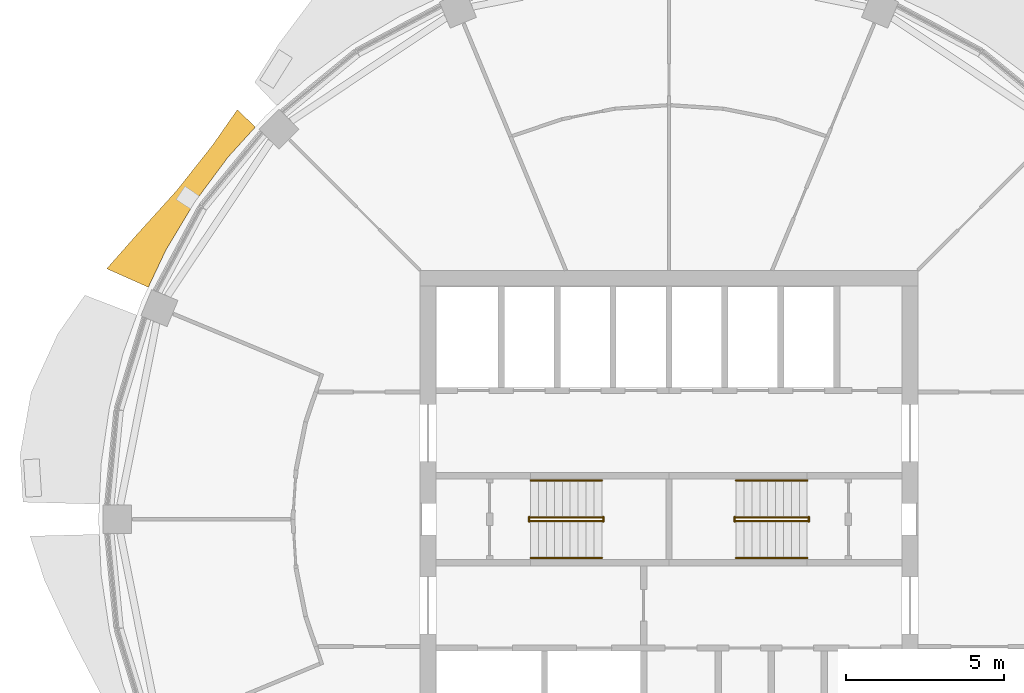
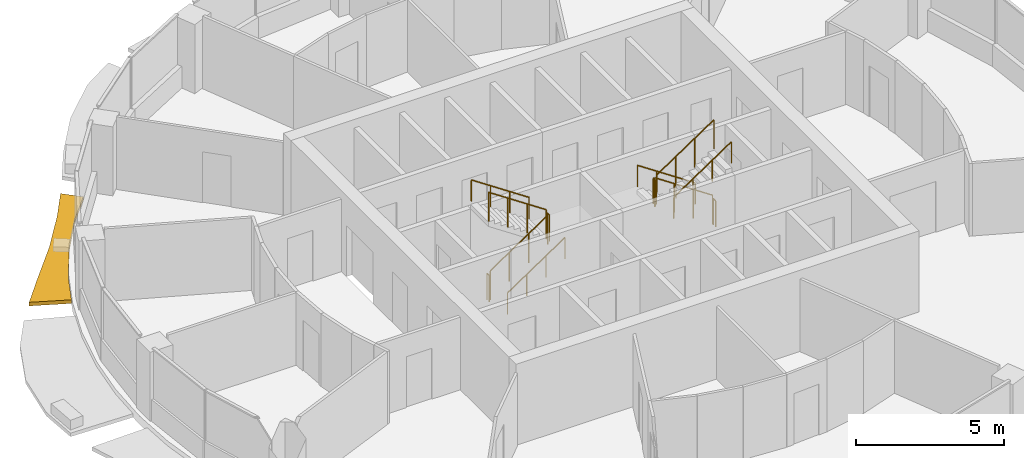
# One storey, part 13 of 15: 12 railings, 1 shading device.
"""IFC4 building model written with IfcOpenShell, lengths in metres."""

from ifc_helpers import new_model, si_unit, direction, frame, origin, origin_2d, place, context, subcontext, project, spatial, polyline, circle, outline, extrude, material, type_object, element, save


model = new_model("IFC4")

# Units and contexts
model_context = context("Model", 3, precision=1e-05, world=origin(), true_north=direction((0.0, 1.0)))
body_context = subcontext(model_context, "Body", "Model", "MODEL_VIEW")
ifc_project = project(units=[si_unit("LENGTHUNIT", "METRE"), si_unit("AREAUNIT", "SQUARE_METRE"), si_unit("VOLUMEUNIT", "CUBIC_METRE"), si_unit("PLANEANGLEUNIT", "RADIAN"), si_unit("MASSUNIT", "GRAM", prefix="KILO")], contexts=[model_context])

# Site, building, storey
site_placement = place(None, origin())
site = spatial("IfcSite", under=ifc_project, at=site_placement, CompositionType="ELEMENT")
building_placement = place(site_placement, origin())
building = spatial("IfcBuilding", under=site, at=building_placement, Name="Polderwave Tower", CompositionType="ELEMENT")
storey_placement = place(building_placement, frame((0.0, 0.0, 191.0)))
storey = spatial("IfcBuildingStorey", under=building, at=storey_placement, Name="L51", CompositionType="ELEMENT", Elevation=191.0)

# Railings
ifc_material_1 = material(Name="Stainless steel", Category="steel")
railing_type_1 = type_object("IfcRailingType", Name="Stair guard 1100", PredefinedType="GUARDRAIL", material=ifc_material_1)
railing_1_placement = place(storey_placement, frame((-4.3740234375, -0.051025390625, 0.04736328125)))
element("IfcRailing", 1, at=railing_1_placement, inside=storey, type_object=railing_type_1, Name="L51 ST-A stair guard 1", PredefinedType="GUARDRAIL", context=body_context, shape_type="SweptSolid", body=[
    extrude(circle(Radius=0.02392578125, at=origin_2d()), frame((0.0, 0.0, 1.1962890625), z_axis=(0.830758306289, 0.0, 0.556633305266), x_axis=(0.0, 1.0, 0.0)), (0.0, 0.0, 1.0), 2.708251953125),
    extrude(circle(Radius=0.02392578125, at=origin_2d()), origin(), (0.0, 0.0, 1.0), 1.172119140625),
    extrude(circle(Radius=0.02392578125, at=origin_2d()), frame((0.75, 0.0, 0.50244140625)), (0.0, 0.0, 1.0), 1.172119140625),
    extrude(circle(Radius=0.02392578125, at=origin_2d()), frame((1.5, 0.0, 1.005126953125)), (0.0, 0.0, 1.0), 1.172119140625),
    extrude(circle(Radius=0.02392578125, at=origin_2d()), frame((2.25, 0.0, 1.507568359375)), (0.0, 0.0, 1.0), 1.172119140625),
])
railing_2_placement = place(storey_placement, frame((-2.073974609375, -0.074951171875, 1.675048828125)))
element("IfcRailing", 2, at=railing_2_placement, inside=storey, type_object=railing_type_1, Name="L51 ST-A stair guard 2", PredefinedType="GUARDRAIL", context=body_context, shape_type="SweptSolid", body=[
    extrude(circle(Radius=0.02392578125, at=origin_2d()), frame((0.0, 0.0, 1.076171875), z_axis=(0.0, 1.0, 0.0), x_axis=(-1.0, 0.0, 0.0)), (0.0, 0.0, 1.0), 0.14990234375),
    extrude(circle(Radius=0.02099609375, at=origin_2d()), origin(), (0.0, 0.0, 1.0), 1.052001953125),
    extrude(circle(Radius=0.02099609375, at=origin_2d()), frame((0.0, 0.14990234375, 0.0)), (0.0, 0.0, 1.0), 1.052001953125),
])
railing_3_placement = place(storey_placement, frame((-2.1240234375, 0.051025390625, 1.722412109375)))
element("IfcRailing", 3, at=railing_3_placement, inside=storey, type_object=railing_type_1, Name="L51 ST-A stair guard 3", PredefinedType="GUARDRAIL", context=body_context, shape_type="SweptSolid", body=[
    extrude(circle(Radius=0.02392578125, at=origin_2d()), frame((0.0, 0.0, 1.1962890625), z_axis=(-0.830758306289, 0.0, 0.556633305266), x_axis=(0.0, -1.0, 0.0)), (0.0, 0.0, 1.0), 2.708251953125),
    extrude(circle(Radius=0.02392578125, at=origin_2d()), origin(), (0.0, 0.0, 1.0), 1.172119140625),
    extrude(circle(Radius=0.02392578125, at=origin_2d()), frame((-0.75, 0.0, 0.50244140625)), (0.0, 0.0, 1.0), 1.172119140625),
    extrude(circle(Radius=0.02392578125, at=origin_2d()), frame((-1.5, 0.0, 1.005126953125)), (0.0, 0.0, 1.0), 1.172119140625),
    extrude(circle(Radius=0.02392578125, at=origin_2d()), frame((-2.25, 0.0, 1.507568359375)), (0.0, 0.0, 1.0), 1.172119140625),
])
railing_4_placement = place(storey_placement, frame((-4.424072265625, -0.074951171875, 0.0)))
element("IfcRailing", 4, at=railing_4_placement, inside=storey, type_object=railing_type_1, Name="L51 ST-A stair guard 4", PredefinedType="GUARDRAIL", context=body_context, shape_type="SweptSolid", body=[
    extrude(circle(Radius=0.02392578125, at=origin_2d()), frame((0.0, 0.0, 1.076171875), z_axis=(0.0, 1.0, 0.0), x_axis=(-1.0, 0.0, 0.0)), (0.0, 0.0, 1.0), 0.14990234375),
    extrude(circle(Radius=0.02099609375, at=origin_2d()), origin(), (0.0, 0.0, 1.0), 1.052001953125),
    extrude(circle(Radius=0.02099609375, at=origin_2d()), frame((0.0, 0.14990234375, 0.0)), (0.0, 0.0, 1.0), 1.052001953125),
])
railing_5_placement = place(storey_placement, frame((4.3740234375, 0.051025390625, 0.04736328125)))
element("IfcRailing", 5, at=railing_5_placement, inside=storey, type_object=railing_type_1, Name="L51 ST-B stair guard 1", PredefinedType="GUARDRAIL", context=body_context, shape_type="SweptSolid", body=[
    extrude(circle(Radius=0.02392578125, at=origin_2d()), frame((0.0, 0.0, 1.1962890625), z_axis=(-0.830758306289, 0.0, 0.556633305266), x_axis=(0.0, -1.0, 0.0)), (0.0, 0.0, 1.0), 2.708251953125),
    extrude(circle(Radius=0.02392578125, at=origin_2d()), origin(), (0.0, 0.0, 1.0), 1.172119140625),
    extrude(circle(Radius=0.02392578125, at=origin_2d()), frame((-0.75, 0.0, 0.50244140625)), (0.0, 0.0, 1.0), 1.172119140625),
    extrude(circle(Radius=0.02392578125, at=origin_2d()), frame((-1.5, 0.0, 1.005126953125)), (0.0, 0.0, 1.0), 1.172119140625),
    extrude(circle(Radius=0.02392578125, at=origin_2d()), frame((-2.25, 0.0, 1.507568359375)), (0.0, 0.0, 1.0), 1.172119140625),
])
railing_6_placement = place(storey_placement, frame((2.073974609375, 0.074951171875, 1.675048828125)))
element("IfcRailing", 6, at=railing_6_placement, inside=storey, type_object=railing_type_1, Name="L51 ST-B stair guard 2", PredefinedType="GUARDRAIL", context=body_context, shape_type="SweptSolid", body=[
    extrude(circle(Radius=0.02392578125, at=origin_2d()), frame((0.0, 0.0, 1.076171875), z_axis=(0.0, -1.0, 0.0), x_axis=(1.0, 0.0, 0.0)), (0.0, 0.0, 1.0), 0.14990234375),
    extrude(circle(Radius=0.02099609375, at=origin_2d()), origin(), (0.0, 0.0, 1.0), 1.052001953125),
    extrude(circle(Radius=0.02099609375, at=origin_2d()), frame((0.0, -0.14990234375, 0.0)), (0.0, 0.0, 1.0), 1.052001953125),
])
railing_7_placement = place(storey_placement, frame((2.1240234375, -0.051025390625, 1.722412109375)))
element("IfcRailing", 7, at=railing_7_placement, inside=storey, type_object=railing_type_1, Name="L51 ST-B stair guard 3", PredefinedType="GUARDRAIL", context=body_context, shape_type="SweptSolid", body=[
    extrude(circle(Radius=0.02392578125, at=origin_2d()), frame((0.0, 0.0, 1.1962890625), z_axis=(0.830758306289, 0.0, 0.556633305266), x_axis=(0.0, 1.0, 0.0)), (0.0, 0.0, 1.0), 2.708251953125),
    extrude(circle(Radius=0.02392578125, at=origin_2d()), origin(), (0.0, 0.0, 1.0), 1.172119140625),
    extrude(circle(Radius=0.02392578125, at=origin_2d()), frame((0.75, 0.0, 0.50244140625)), (0.0, 0.0, 1.0), 1.172119140625),
    extrude(circle(Radius=0.02392578125, at=origin_2d()), frame((1.5, 0.0, 1.005126953125)), (0.0, 0.0, 1.0), 1.172119140625),
    extrude(circle(Radius=0.02392578125, at=origin_2d()), frame((2.25, 0.0, 1.507568359375)), (0.0, 0.0, 1.0), 1.172119140625),
])
railing_8_placement = place(storey_placement, frame((4.424072265625, 0.074951171875, 0.0)))
element("IfcRailing", 8, at=railing_8_placement, inside=storey, type_object=railing_type_1, Name="L51 ST-B stair guard 4", PredefinedType="GUARDRAIL", context=body_context, shape_type="SweptSolid", body=[
    extrude(circle(Radius=0.02392578125, at=origin_2d()), frame((0.0, 0.0, 1.076171875), z_axis=(0.0, -1.0, 0.0), x_axis=(1.0, 0.0, 0.0)), (0.0, 0.0, 1.0), 0.14990234375),
    extrude(circle(Radius=0.02099609375, at=origin_2d()), origin(), (0.0, 0.0, 1.0), 1.052001953125),
    extrude(circle(Radius=0.02099609375, at=origin_2d()), frame((0.0, -0.14990234375, 0.0)), (0.0, 0.0, 1.0), 1.052001953125),
])
railing_type_2 = type_object("IfcRailingType", Name="Stair handrail 900", PredefinedType="HANDRAIL", material=ifc_material_1)
railing_9_placement = place(storey_placement, frame((-4.3740234375, -1.22509765625, 0.16748046875)))
element("IfcRailing", 9, at=railing_9_placement, inside=storey, type_object=railing_type_2, Name="L51 ST-A stair handrail 1", PredefinedType="HANDRAIL", context=body_context, shape_type="SweptSolid", body=[
    extrude(circle(Radius=0.02392578125, at=origin_2d()), frame((0.0, 0.0, 0.8759765625), z_axis=(0.830758306289, 0.0, 0.556633305266), x_axis=(0.0, 1.0, 0.0)), (0.0, 0.0, 1.0), 2.708251953125),
    extrude(circle(Radius=0.02099609375, at=origin_2d()), origin(), (0.0, 0.0, 1.0), 0.851806640625),
    extrude(circle(Radius=0.02099609375, at=origin_2d()), frame((0.75, 0.0, 0.50244140625)), (0.0, 0.0, 1.0), 0.851806640625),
    extrude(circle(Radius=0.02099609375, at=origin_2d()), frame((1.5, 0.0, 1.005126953125)), (0.0, 0.0, 1.0), 0.851806640625),
    extrude(circle(Radius=0.02099609375, at=origin_2d()), frame((2.25, 0.0, 1.507568359375)), (0.0, 0.0, 1.0), 0.851806640625),
])
for number, where, name in (
    (10, (-2.1240234375, 1.22509765625, 1.842529296875), "L51 ST-A stair handrail 2"),
    (11, (4.3740234375, 1.22509765625, 0.16748046875), "L51 ST-B stair handrail 1"),
):
    element("IfcRailing", number, at=place(storey_placement, frame(where)), inside=storey, type_object=railing_type_2, Name=name, PredefinedType="HANDRAIL", context=body_context, shape_type="SweptSolid", body=[
        extrude(circle(Radius=0.02392578125, at=origin_2d()), frame((0.0, 0.0, 0.8759765625), z_axis=(-0.830758306289, 0.0, 0.556633305266), x_axis=(0.0, -1.0, 0.0)), (0.0, 0.0, 1.0), 2.708251953125),
        extrude(circle(Radius=0.02099609375, at=origin_2d()), origin(), (0.0, 0.0, 1.0), 0.851806640625),
        extrude(circle(Radius=0.02099609375, at=origin_2d()), frame((-0.75, 0.0, 0.50244140625)), (0.0, 0.0, 1.0), 0.851806640625),
        extrude(circle(Radius=0.02099609375, at=origin_2d()), frame((-1.5, 0.0, 1.005126953125)), (0.0, 0.0, 1.0), 0.851806640625),
        extrude(circle(Radius=0.02099609375, at=origin_2d()), frame((-2.25, 0.0, 1.507568359375)), (0.0, 0.0, 1.0), 0.851806640625),
    ])
railing_10_placement = place(storey_placement, frame((2.1240234375, -1.22509765625, 1.842529296875)))
element("IfcRailing", 12, at=railing_10_placement, inside=storey, type_object=railing_type_2, Name="L51 ST-B stair handrail 2", PredefinedType="HANDRAIL", context=body_context, shape_type="SweptSolid", body=[
    extrude(circle(Radius=0.02392578125, at=origin_2d()), frame((0.0, 0.0, 0.8759765625), z_axis=(0.830758306289, 0.0, 0.556633305266), x_axis=(0.0, 1.0, 0.0)), (0.0, 0.0, 1.0), 2.708251953125),
    extrude(circle(Radius=0.02099609375, at=origin_2d()), origin(), (0.0, 0.0, 1.0), 0.851806640625),
    extrude(circle(Radius=0.02099609375, at=origin_2d()), frame((0.75, 0.0, 0.50244140625)), (0.0, 0.0, 1.0), 0.851806640625),
    extrude(circle(Radius=0.02099609375, at=origin_2d()), frame((1.5, 0.0, 1.005126953125)), (0.0, 0.0, 1.0), 0.851806640625),
    extrude(circle(Radius=0.02099609375, at=origin_2d()), frame((2.25, 0.0, 1.507568359375)), (0.0, 0.0, 1.0), 0.851806640625),
])

# Shading device
ifc_material_2 = material(Name="Terracotta", Category="masonry")
shading_device_type = type_object("IfcShadingDeviceType", Name="Terracotta sunshade band", PredefinedType="USERDEFINED", material=ifc_material_2)
shading_device_placement = place(storey_placement, frame((0.0, 0.0, -0.35009765625)))
element("IfcShadingDevice", 13, at=shading_device_placement, inside=storey, type_object=shading_device_type, Name="Sunshade band L51 7", ObjectType="SUNSHADE", PredefinedType="USERDEFINED", context=body_context, shape_type="SweptSolid", body=[
    extrude(outline(polyline([(-13.083984375, 12.4091796875), (-13.952880859375, 11.45068359375), (-15.008056640625, 10.028076171875), (-15.918701171875, 8.5087890625), (-16.4716796875, 7.33935546875), (-17.787841796875, 7.92578125), (-16.839111328125, 9.000732421875), (-15.56982421875, 10.403564453125), (-14.431640625, 11.84375), (-13.65771484375, 12.953369140625), (-13.083984375, 12.4091796875)])), origin(), (0.0, 0.0, 1.0), 0.150146484375),
])

save(model, "model.ifc")
